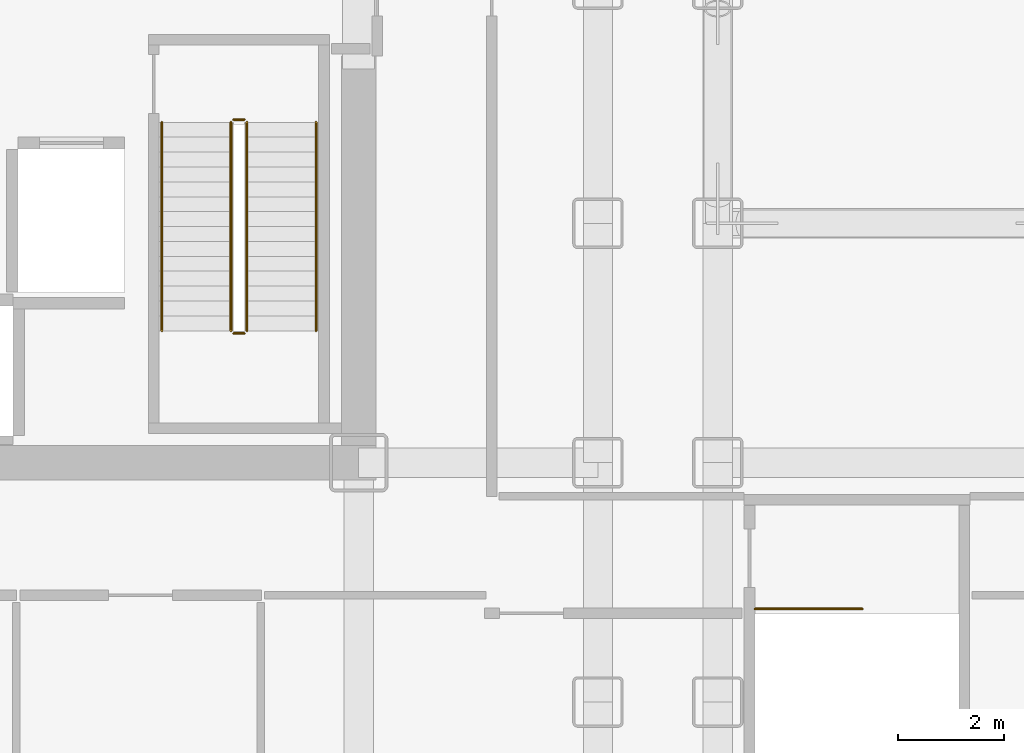
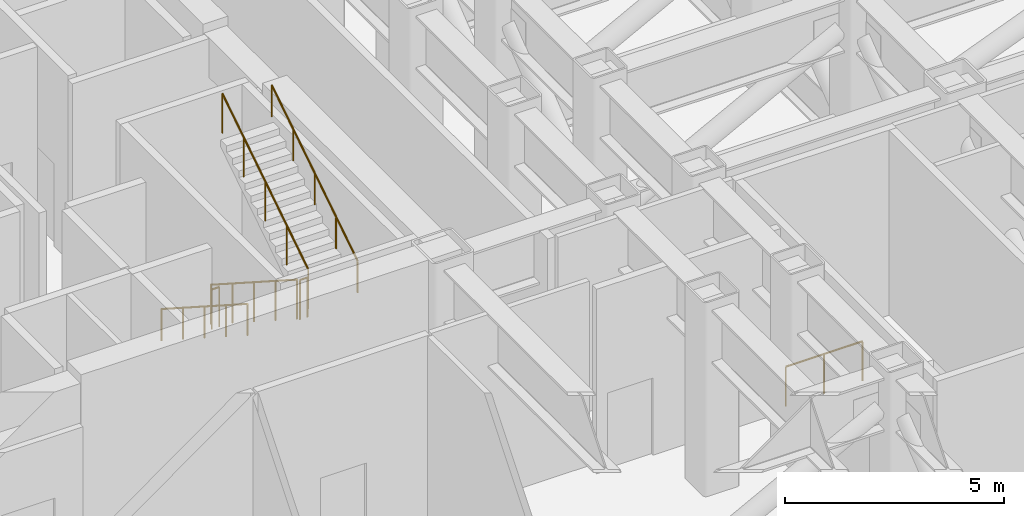
# One storey, part 16 of 17: 7 railings.
"""IFC4 building model written with IfcOpenShell, lengths in metres."""

from ifc_helpers import new_model, si_unit, direction, frame, origin, origin_2d, place, context, subcontext, project, spatial, circle, extrude, material, type_object, element, save


model = new_model("IFC4")

# Units and contexts
model_context = context("Model", 3, precision=1e-05, world=origin(), true_north=direction((0.0, 1.0)))
body_context = subcontext(model_context, "Body", "Model", "MODEL_VIEW")
ifc_project = project(units=[si_unit("LENGTHUNIT", "METRE"), si_unit("AREAUNIT", "SQUARE_METRE"), si_unit("VOLUMEUNIT", "CUBIC_METRE"), si_unit("PLANEANGLEUNIT", "RADIAN"), si_unit("MASSUNIT", "GRAM", prefix="KILO")], contexts=[model_context])

# Site, building, storey
site_placement = place(None, origin())
site = spatial("IfcSite", under=ifc_project, at=site_placement, CompositionType="ELEMENT")
building_placement = place(site_placement, origin())
building = spatial("IfcBuilding", under=site, at=building_placement, Name="Nefas-Gora Pilgrimage Tower", CompositionType="ELEMENT")
storey_placement = place(building_placement, frame((0.0, 0.0, 27.60009765625)))
storey = spatial("IfcBuildingStorey", under=building, at=storey_placement, Name="L05", CompositionType="ELEMENT", Elevation=27.60009765625)

# Railings
ifc_material_1 = material(Name="Painted galvanised steel", Category="steel")
railing_type_1 = type_object("IfcRailingType", Name="RLG-STR-GUARD-1100", PredefinedType="GUARDRAIL", material=ifc_material_1)
railing_1_placement = place(storey_placement, frame((8.85009765625, -2.60009765625, 0.179931640625)))
element("IfcRailing", 1, at=railing_1_placement, inside=storey, type_object=railing_type_1, Name="L05 ST-02 stair guard 1", PredefinedType="GUARDRAIL", context=body_context, shape_type="SweptSolid", body=[
    extrude(circle(Radius=0.02392578125, at=origin_2d()), frame((0.0, 0.0, 1.09619140625), z_axis=(0.0, -0.841171666519, 0.540768182723), x_axis=(1.0, 0.0, 0.0)), (0.0, 0.0, 1.0), 4.66015625),
    extrude(circle(Radius=0.02099609375, at=origin_2d()), origin(), (0.0, 0.0, 1.0), 1.072021484375),
    extrude(circle(Radius=0.02099609375, at=origin_2d()), frame((0.0, -0.97998046875, 0.6298828125)), (0.0, 0.0, 1.0), 1.072021484375),
    extrude(circle(Radius=0.02099609375, at=origin_2d()), frame((0.0, -1.9599609375, 1.260009765625)), (0.0, 0.0, 1.0), 1.072021484375),
    extrude(circle(Radius=0.02099609375, at=origin_2d()), frame((0.0, -2.93994140625, 1.89013671875)), (0.0, 0.0, 1.0), 1.072021484375),
    extrude(circle(Radius=0.02099609375, at=origin_2d()), frame((0.0, -3.919921875, 2.52001953125)), (0.0, 0.0, 1.0), 1.072021484375),
])
railing_2_placement = place(storey_placement, frame((8.89990234375, -6.570068359375, 2.699951171875)))
element("IfcRailing", 2, at=railing_2_placement, inside=storey, type_object=railing_type_1, Name="L05 ST-02 stair guard 2", PredefinedType="GUARDRAIL", context=body_context, shape_type="SweptSolid", body=[
    extrude(circle(Radius=0.02392578125, at=origin_2d()), frame((0.0, 0.0, 1.09619140625), z_axis=(1.0, 0.0, 0.0), x_axis=(0.0, 1.0, 0.0)), (0.0, 0.0, 1.0), 0.2001953125),
    extrude(circle(Radius=0.02099609375, at=origin_2d()), origin(), (0.0, 0.0, 1.0), 1.072021484375),
    extrude(circle(Radius=0.02099609375, at=origin_2d()), frame((0.2001953125, 0.0, 0.0)), (0.0, 0.0, 1.0), 1.072021484375),
])
railing_3_placement = place(storey_placement, frame((9.14990234375, -6.52001953125, 2.8798828125)))
element("IfcRailing", 3, at=railing_3_placement, inside=storey, type_object=railing_type_1, Name="L05 ST-02 stair guard 3", PredefinedType="GUARDRAIL", context=body_context, shape_type="SweptSolid", body=[
    extrude(circle(Radius=0.02392578125, at=origin_2d()), frame((0.0, 0.0, 1.09619140625), z_axis=(0.0, 0.841171666519, 0.540768182723), x_axis=(-1.0, 0.0, 0.0)), (0.0, 0.0, 1.0), 4.66015625),
    extrude(circle(Radius=0.02099609375, at=origin_2d()), origin(), (0.0, 0.0, 1.0), 1.072021484375),
    extrude(circle(Radius=0.02099609375, at=origin_2d()), frame((0.0, 0.97998046875, 0.6298828125)), (0.0, 0.0, 1.0), 1.072021484375),
    extrude(circle(Radius=0.02099609375, at=origin_2d()), frame((0.0, 1.9599609375, 1.260009765625)), (0.0, 0.0, 1.0), 1.072021484375),
    extrude(circle(Radius=0.02099609375, at=origin_2d()), frame((0.0, 2.93994140625, 1.89013671875)), (0.0, 0.0, 1.0), 1.072021484375),
    extrude(circle(Radius=0.02099609375, at=origin_2d()), frame((0.0, 3.919921875, 2.52001953125)), (0.0, 0.0, 1.0), 1.072021484375),
])
railing_4_placement = place(storey_placement, frame((8.89990234375, -2.550048828125, 0.0)))
element("IfcRailing", 4, at=railing_4_placement, inside=storey, type_object=railing_type_1, Name="L05 ST-02 stair guard 4", PredefinedType="GUARDRAIL", context=body_context, shape_type="SweptSolid", body=[
    extrude(circle(Radius=0.02392578125, at=origin_2d()), frame((0.0, 0.0, 1.09619140625), z_axis=(1.0, 0.0, 0.0), x_axis=(0.0, 1.0, 0.0)), (0.0, 0.0, 1.0), 0.2001953125),
    extrude(circle(Radius=0.02099609375, at=origin_2d()), origin(), (0.0, 0.0, 1.0), 1.072021484375),
    extrude(circle(Radius=0.02099609375, at=origin_2d()), frame((0.2001953125, 0.0, 0.0)), (0.0, 0.0, 1.0), 1.072021484375),
])
railing_5_placement = place(storey_placement, frame((18.699951171875, -11.75, 0.0)))
element("IfcRailing", 5, at=railing_5_placement, inside=storey, type_object=railing_type_1, Name="L05 ST-06 top well guard 1", PredefinedType="GUARDRAIL", context=body_context, shape_type="SweptSolid", body=[
    extrude(circle(Radius=0.02392578125, at=origin_2d()), frame((0.0, 0.0, 1.09619140625), z_axis=(1.0, 0.0, 0.0), x_axis=(0.0, 1.0, 0.0)), (0.0, 0.0, 1.0), 2.02001953125),
    extrude(circle(Radius=0.02099609375, at=origin_2d()), origin(), (0.0, 0.0, 1.0), 1.072021484375),
    extrude(circle(Radius=0.02099609375, at=origin_2d()), frame((1.010009765625, 0.0, 0.0)), (0.0, 0.0, 1.0), 1.072021484375),
    extrude(circle(Radius=0.02099609375, at=origin_2d()), frame((2.02001953125, 0.0, 0.0)), (0.0, 0.0, 1.0), 1.072021484375),
])
ifc_material_2 = material(Name="Brushed stainless steel", Category="steel")
railing_type_2 = type_object("IfcRailingType", Name="RLG-STR-HAND-900", PredefinedType="HANDRAIL", material=ifc_material_2)
railing_6_placement = place(storey_placement, frame((7.550048828125, -2.60009765625, 0.179931640625)))
element("IfcRailing", 6, at=railing_6_placement, inside=storey, type_object=railing_type_2, Name="L05 ST-02 stair handrail 1", PredefinedType="HANDRAIL", context=body_context, shape_type="SweptSolid", body=[
    extrude(circle(Radius=0.02392578125, at=origin_2d()), frame((0.0, 0.0, 0.8759765625), z_axis=(0.0, -0.841171666519, 0.540768182723), x_axis=(1.0, 0.0, 0.0)), (0.0, 0.0, 1.0), 4.66015625),
    extrude(circle(Radius=0.02099609375, at=origin_2d()), origin(), (0.0, 0.0, 1.0), 0.851806640625),
    extrude(circle(Radius=0.02099609375, at=origin_2d()), frame((0.0, -0.97998046875, 0.6298828125)), (0.0, 0.0, 1.0), 0.851806640625),
    extrude(circle(Radius=0.02099609375, at=origin_2d()), frame((0.0, -1.9599609375, 1.260009765625)), (0.0, 0.0, 1.0), 0.851806640625),
    extrude(circle(Radius=0.02099609375, at=origin_2d()), frame((0.0, -2.93994140625, 1.89013671875)), (0.0, 0.0, 1.0), 0.851806640625),
    extrude(circle(Radius=0.02099609375, at=origin_2d()), frame((0.0, -3.919921875, 2.52001953125)), (0.0, 0.0, 1.0), 0.851806640625),
])
railing_7_placement = place(storey_placement, frame((10.449951171875, -6.52001953125, 2.8798828125)))
element("IfcRailing", 7, at=railing_7_placement, inside=storey, type_object=railing_type_2, Name="L05 ST-02 stair handrail 2", PredefinedType="HANDRAIL", context=body_context, shape_type="SweptSolid", body=[
    extrude(circle(Radius=0.02392578125, at=origin_2d()), frame((0.0, 0.0, 0.8759765625), z_axis=(0.0, 0.841171666519, 0.540768182723), x_axis=(-1.0, 0.0, 0.0)), (0.0, 0.0, 1.0), 4.66015625),
    extrude(circle(Radius=0.02099609375, at=origin_2d()), origin(), (0.0, 0.0, 1.0), 0.851806640625),
    extrude(circle(Radius=0.02099609375, at=origin_2d()), frame((0.0, 0.97998046875, 0.6298828125)), (0.0, 0.0, 1.0), 0.851806640625),
    extrude(circle(Radius=0.02099609375, at=origin_2d()), frame((0.0, 1.9599609375, 1.260009765625)), (0.0, 0.0, 1.0), 0.851806640625),
    extrude(circle(Radius=0.02099609375, at=origin_2d()), frame((0.0, 2.93994140625, 1.89013671875)), (0.0, 0.0, 1.0), 0.851806640625),
    extrude(circle(Radius=0.02099609375, at=origin_2d()), frame((0.0, 3.919921875, 2.52001953125)), (0.0, 0.0, 1.0), 0.851806640625),
])

save(model, "model.ifc")
